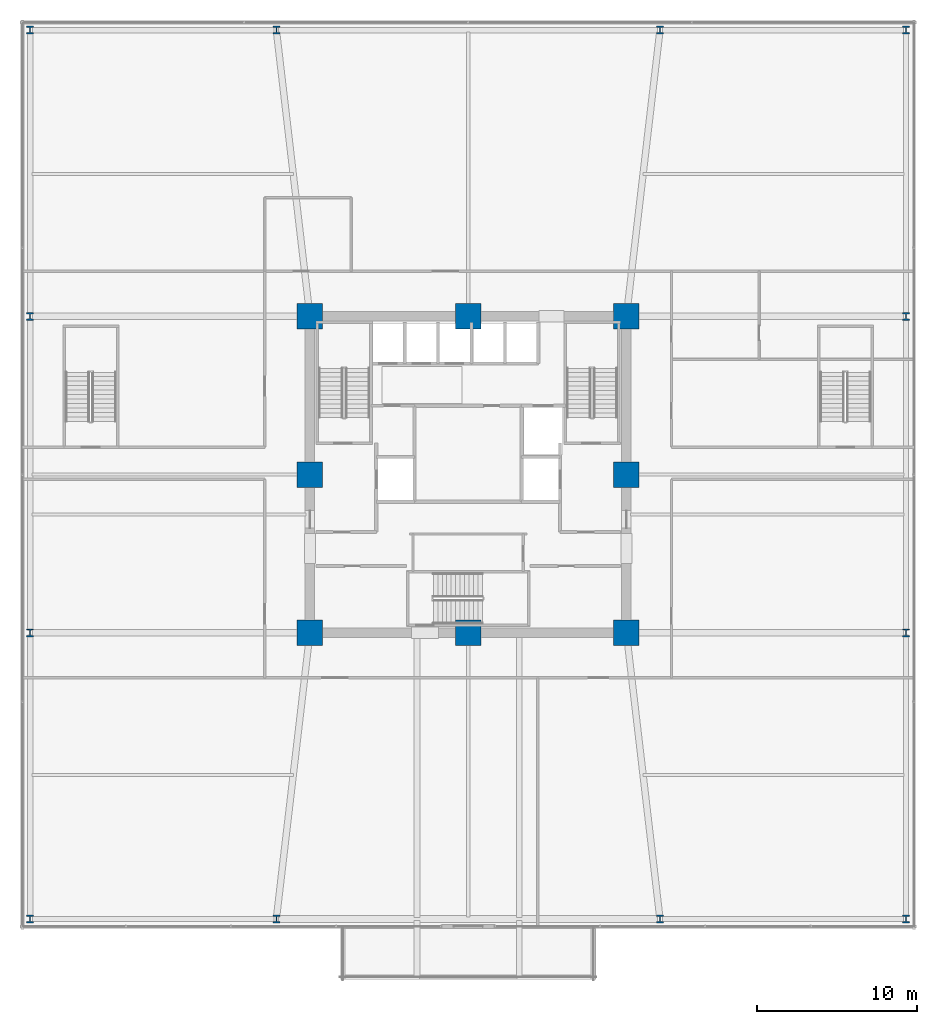
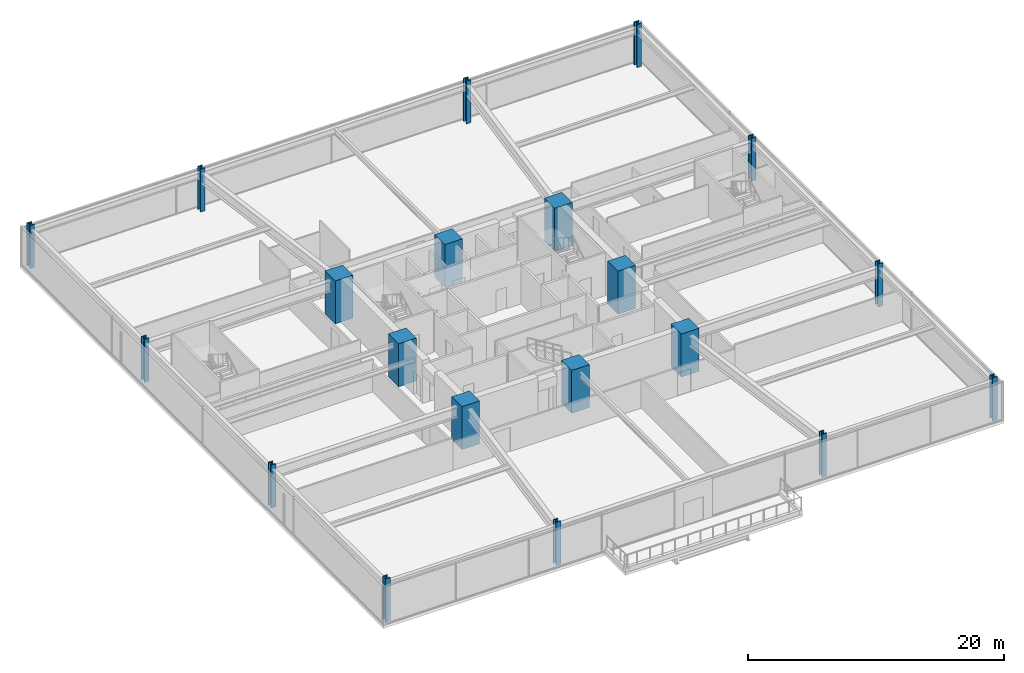
# One storey, part 1 of 39: 20 columns.
"""IFC4 building model written with IfcOpenShell, lengths in metres."""

from ifc_helpers import new_model, si_unit, direction, frame, origin, origin_2d, place, context, subcontext, project, spatial, rectangle, i_section, extrude, material, material_profile, profile_set, type_object, element, save


model = new_model("IFC4")

# Units and contexts
model_context = context("Model", 3, precision=1e-05, world=origin(), true_north=direction((0.0, 1.0)))
body_context = subcontext(model_context, "Body", "Model", "MODEL_VIEW")
ifc_project = project(units=[si_unit("LENGTHUNIT", "METRE"), si_unit("AREAUNIT", "SQUARE_METRE"), si_unit("VOLUMEUNIT", "CUBIC_METRE"), si_unit("PLANEANGLEUNIT", "RADIAN"), si_unit("MASSUNIT", "GRAM", prefix="KILO")], contexts=[model_context])

# Site, building, storey
site_placement = place(None, origin())
site = spatial("IfcSite", under=ifc_project, at=site_placement, CompositionType="ELEMENT")
building_placement = place(site_placement, origin())
building = spatial("IfcBuilding", under=site, at=building_placement, Name="Kolvaren Belvedere", CompositionType="ELEMENT")
storey_placement = place(building_placement, frame((0.0, 0.0, 15.199951171875)))
storey = spatial("IfcBuildingStorey", under=building, at=storey_placement, Name="L04", CompositionType="ELEMENT", Elevation=15.199951171875)

# Columns
ifc_material_1 = material(Name="Concrete C60/75", Category="concrete")
ifc_material_profile_1 = material_profile(ifc_material_1, rectangle(XDim=1.60009765625, YDim=1.60009765625, at=origin_2d()), Name="RC 1600X1600")
ifc_profile_set_1 = profile_set([ifc_material_profile_1], Name="Concrete C60/75")
column_type_1 = type_object("IfcColumnType", Name="COL-RC-1600", PredefinedType="COLUMN", material=ifc_profile_set_1)
for number, where, z_axis, x_axis, name in (
    (1, (-9.89990234375, -9.89990234375, 0.0), (0.0, 0.0, 1.0), (1.0, 0.0, 0.0), "L04 Core Column CC1"),
    (2, (9.89990234375, -9.89990234375, 0.0), (0.0, 0.0, 1.0), (1.0, 0.0, 0.0), "L04 Core Column CC2"),
    (3, (9.89990234375, 9.89990234375, 0.0), (0.0, 0.0, 1.0), (1.0, 0.0, 0.0), "L04 Core Column CC3"),
    (4, (-9.89990234375, 9.89990234375, 0.0), (0.0, 0.0, 1.0), (1.0, 0.0, 0.0), "L04 Core Column CC4"),
    (5, (0.0, -9.89990234375, 0.0), (0.0, 0.0, 1.0), (1.0, 0.0, 0.0), "L04 Core Column CM1"),
    (6, (9.89990234375, 0.0, 0.0), (0.0, 0.0, 1.0), (1.0, 0.0, 0.0), "L04 Core Column CM2"),
    (7, (0.0, 9.89990234375, 0.0), (0.0, 0.0, 1.0), (1.0, 0.0, 0.0), "L04 Core Column CM3"),
    (8, (-9.89990234375, 0.0, 0.0), (0.0, 0.0, 1.0), (1.0, 0.0, 0.0), "L04 Core Column CM4"),
):
    element("IfcColumn", number, at=place(storey_placement, frame(where, z_axis=z_axis, x_axis=x_axis)), inside=storey, type_object=column_type_1, Name=name, PredefinedType="COLUMN", context=body_context, shape_type="SweptSolid", body=[
        extrude(rectangle(XDim=1.60009765625, YDim=1.60009765625, at=origin_2d()), origin(), (0.0, 0.0, 1.0), 4.10009765625),
    ])
ifc_material_2 = material(Name="Structural steel ASTM A992 Grade 50", Category="steel")
ifc_material_profile_2 = material_profile(ifc_material_2, i_section(OverallWidth=0.431884765625, OverallDepth=0.498046875, WebThickness=0.0556640625, FlangeThickness=0.0888671875, FilletRadius=0.02490234375, at=origin_2d()), Name="W14X500")
ifc_profile_set_2 = profile_set([ifc_material_profile_2], Name="Structural steel ASTM A992 Grade 50")
column_type_2 = type_object("IfcColumnType", Name="COL-ST-W14X500", PredefinedType="COLUMN", material=ifc_profile_set_2)
for number, where, z_axis, x_axis, name in (
    (9, (-27.39990234375, -27.800048828125, 0.0), (0.0, 0.0, 1.0), (1.0, 0.0, 0.0), "L04 Podium Mega-Column PA1"),
    (10, (-12.0, -27.800048828125, 0.0), (0.0, 0.0, 1.0), (1.0, 0.0, 0.0), "L04 Podium Mega-Column PA2"),
    (11, (12.0, -27.800048828125, 0.0), (0.0, 0.0, 1.0), (1.0, 0.0, 0.0), "L04 Podium Mega-Column PA3"),
    (12, (27.39990234375, -27.800048828125, 0.0), (0.0, 0.0, 1.0), (1.0, 0.0, 0.0), "L04 Podium Mega-Column PA4"),
    (13, (-27.39990234375, -9.89990234375, 0.0), (0.0, 0.0, 1.0), (1.0, 0.0, 0.0), "L04 Podium Mega-Column PB1"),
    (14, (27.39990234375, -9.89990234375, 0.0), (0.0, 0.0, 1.0), (1.0, 0.0, 0.0), "L04 Podium Mega-Column PB4"),
    (15, (-27.39990234375, 9.89990234375, 0.0), (0.0, 0.0, 1.0), (1.0, 0.0, 0.0), "L04 Podium Mega-Column PC1"),
    (16, (27.39990234375, 9.89990234375, 0.0), (0.0, 0.0, 1.0), (1.0, 0.0, 0.0), "L04 Podium Mega-Column PC4"),
    (17, (-27.39990234375, 27.800048828125, 0.0), (0.0, 0.0, 1.0), (1.0, 0.0, 0.0), "L04 Podium Mega-Column PD1"),
    (18, (-12.0, 27.800048828125, 0.0), (0.0, 0.0, 1.0), (1.0, 0.0, 0.0), "L04 Podium Mega-Column PD2"),
    (19, (12.0, 27.800048828125, 0.0), (0.0, 0.0, 1.0), (1.0, 0.0, 0.0), "L04 Podium Mega-Column PD3"),
    (20, (27.39990234375, 27.800048828125, 0.0), (0.0, 0.0, 1.0), (1.0, 0.0, 0.0), "L04 Podium Mega-Column PD4"),
):
    element("IfcColumn", number, at=place(storey_placement, frame(where, z_axis=z_axis, x_axis=x_axis)), inside=storey, type_object=column_type_2, Name=name, PredefinedType="COLUMN", context=body_context, shape_type="SweptSolid", body=[
        extrude(i_section(OverallWidth=0.431884765625, OverallDepth=0.498046875, WebThickness=0.0556640625, FlangeThickness=0.0888671875, FilletRadius=0.02490234375, at=origin_2d()), origin(), (0.0, 0.0, 1.0), 4.10009765625),
    ])

save(model, "model.ifc")
